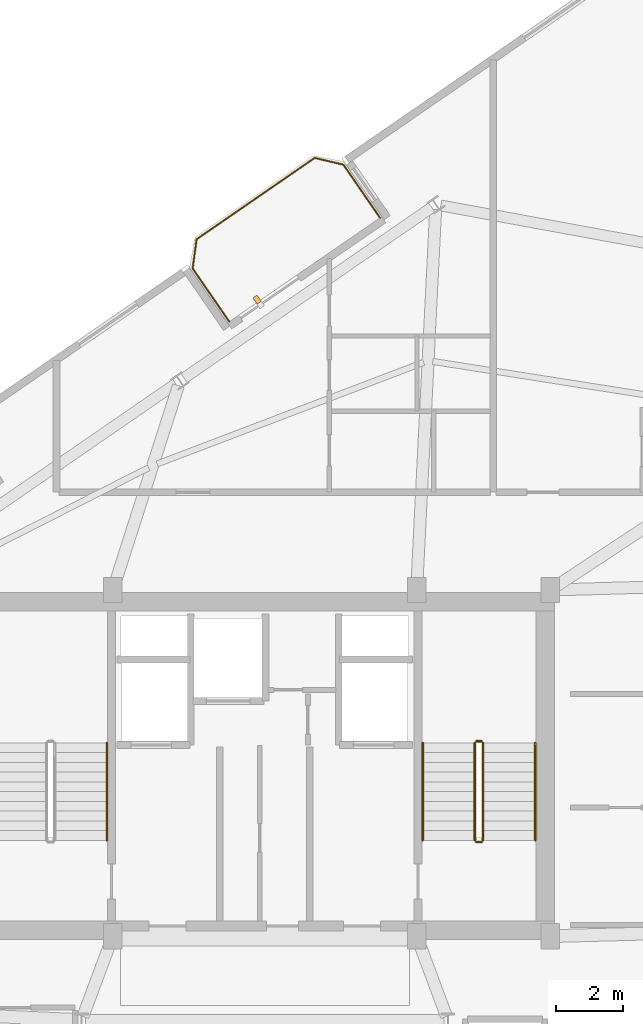
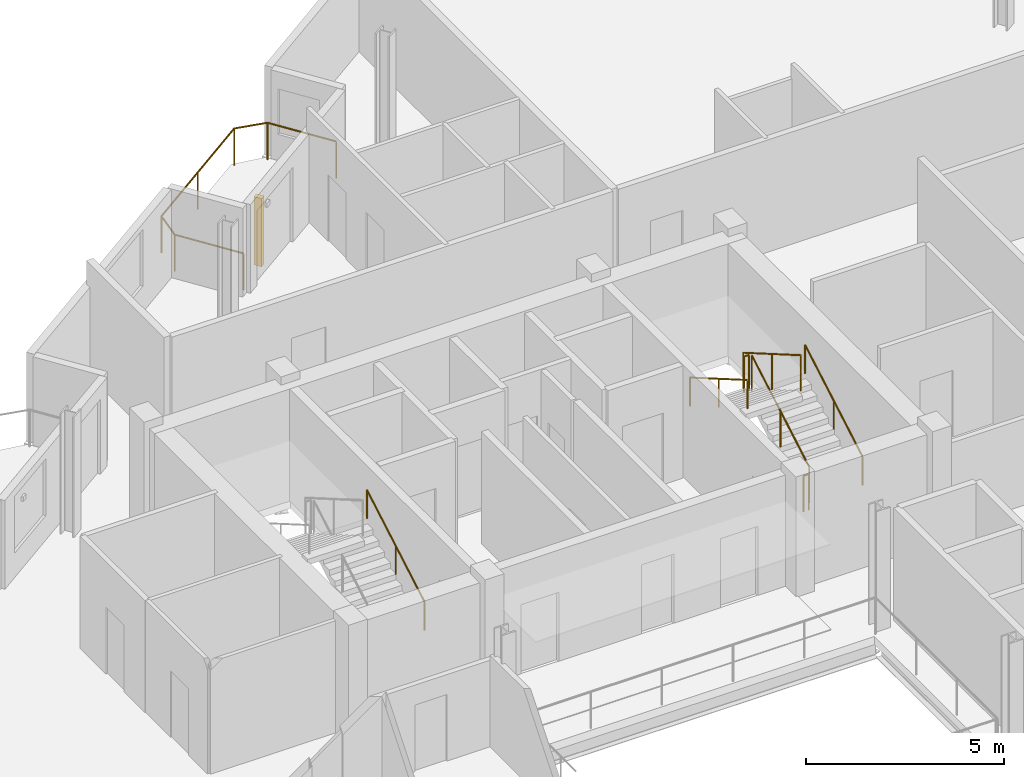
# One storey, part 23 of 23: 8 railings, 1 shading device.
"""IFC4 building model written with IfcOpenShell, lengths in metres."""

import ifcopenshell
import ifcopenshell.guid

model = None  # the IFC model being written
_history = None  # IfcOwnerHistory: only IFC2X3 demands one
_inside = {}  # id of a spatial element -> (the spatial element, [elements in it])
_under = {}  # id of a project, library or spatial element -> (it, [spatial elements below it])
_declared = {}  # id of a project -> (the project, [libraries it declares])
_typed = {}  # id of a type object -> (the type object, [elements of that type])
_made_of = {}  # id of a material, layer set ... -> (it, [elements and type objects made of it])


def new_model(schema):
    """Start an empty IFC model of exactly this schema.

    Asked for "IFC4X3", IfcOpenShell would pick the latest addendum, in which some entities
    have other attributes; the version numbers below select the first issue.
    IFC2X3 requires an IfcOwnerHistory on every rooted entity: one is made here for all.
    """
    global model, _history
    if schema == "IFC4X3":
        model = ifcopenshell.file(schema_version=(4, 3, 0, 0))
    else:
        model = ifcopenshell.file(schema=schema)
    _inside.clear()
    _under.clear()
    _declared.clear()
    _typed.clear()
    _made_of.clear()
    _history = None
    if model.schema == "IFC2X3":
        org = make("IfcOrganization", Name="unknown")
        user = make(
            "IfcPersonAndOrganization",
            ThePerson=make("IfcPerson", FamilyName="unknown"),
            TheOrganization=org,
        )
        app = make(
            "IfcApplication",
            ApplicationDeveloper=org,
            Version="unknown",
            ApplicationFullName="unknown",
            ApplicationIdentifier="unknown",
        )
        _history = make(
            "IfcOwnerHistory",
            OwningUser=user,
            OwningApplication=app,
            ChangeAction="ADDED",
            CreationDate=0,
        )
    return model


def make(cls, **values):
    """One entity of the class cls with the attributes given. An attribute that is None is left unset."""
    return model.create_entity(
        cls, **{name: value for name, value in values.items() if value is not None}
    )


def rooted(cls, **values):
    """An entity with a GlobalId (a new one), such as an element, a storey or a relation."""
    return make(cls, GlobalId=ifcopenshell.guid.new(), OwnerHistory=_history, **values)


def si_unit(unit_type, name, prefix=None):
    """IfcSIUnit, for example si_unit("LENGTHUNIT", "METRE", prefix="MILLI")."""
    return make("IfcSIUnit", UnitType=unit_type, Prefix=prefix, Name=name)


def assignment(units):
    """IfcUnitAssignment: the units of a project."""
    return None if units is None else make("IfcUnitAssignment", Units=units)


def point(xyz):
    """IfcCartesianPoint."""
    return None if xyz is None else make("IfcCartesianPoint", Coordinates=xyz)


def direction(xyz):
    """IfcDirection."""
    return None if xyz is None else make("IfcDirection", DirectionRatios=xyz)


def frame(location, z_axis=None, x_axis=None):
    """IfcAxis2Placement3D, a coordinate frame: its origin and axes. An axis left out is left unset."""
    return make(
        "IfcAxis2Placement3D",
        Location=point(location),
        Axis=direction(z_axis),
        RefDirection=direction(x_axis),
    )


def frame_2d(location, x_axis=None):
    """IfcAxis2Placement2D, a coordinate frame in the plane: its origin and x axis."""
    return make(
        "IfcAxis2Placement2D", Location=point(location), RefDirection=direction(x_axis)
    )


def origin():
    """The frame at (0, 0, 0) with its axes left unset."""
    return frame((0.0, 0.0, 0.0))


def origin_2d():
    """The frame at (0, 0) in the plane with its x axis left unset."""
    return frame_2d((0.0, 0.0))


def place(relative_to, where):
    """IfcLocalPlacement: puts the frame where relative to a parent placement (None: the world)."""
    return make(
        "IfcLocalPlacement", PlacementRelTo=relative_to, RelativePlacement=where
    )


def context(
    kind, dimensions, precision=None, world=None, true_north=None, identifier=None
):
    """IfcGeometricRepresentationContext, for example the 3D "Model" context."""
    return make(
        "IfcGeometricRepresentationContext",
        ContextIdentifier=identifier,
        ContextType=kind,
        CoordinateSpaceDimension=dimensions,
        Precision=precision,
        WorldCoordinateSystem=world,
        TrueNorth=true_north,
    )


def subcontext(parent, identifier, kind, view, scale=None):
    """IfcGeometricRepresentationSubContext, for example "Body" below "Model"."""
    return make(
        "IfcGeometricRepresentationSubContext",
        ContextIdentifier=identifier,
        ContextType=kind,
        ParentContext=parent,
        TargetScale=scale,
        TargetView=view,
    )


def project(units=None, contexts=None):
    """IfcProject with its units and contexts."""
    return rooted(
        "IfcProject",
        Name="project",
        RepresentationContexts=contexts,
        UnitsInContext=assignment(units),
    )


def spatial(cls, under=None, at=None, **own):
    """A site, building, storey or space (cls), placed at a placement, below another one or the project."""
    s = rooted(cls, ObjectPlacement=at, **own)
    if under is not None:
        _under.setdefault(under.id(), (under, []))[1].append(s)
    return s


def profile(cls, at=None, kind="AREA", **sizes):
    """A parametric profile (cls). Its sizes go by their IFC names, for example OverallWidth=200.0."""
    return make(cls, ProfileType=kind, Position=at, **sizes)


def rectangle(**sizes):
    """IfcRectangleProfileDef."""
    return profile("IfcRectangleProfileDef", **sizes)


def circle(**sizes):
    """IfcCircleProfileDef."""
    return profile("IfcCircleProfileDef", **sizes)


def extrude(swept, where, along, depth):
    """IfcExtrudedAreaSolid: the profile swept, set in the frame where, extruded along a direction by depth."""
    return make(
        "IfcExtrudedAreaSolid",
        SweptArea=swept,
        Position=where,
        ExtrudedDirection=direction(along),
        Depth=depth,
    )


def shape(context_of_items, identifier, shape_type, items):
    """IfcShapeRepresentation: the items that make up one representation, for example the "Body"."""
    return make(
        "IfcShapeRepresentation",
        ContextOfItems=context_of_items,
        RepresentationIdentifier=identifier,
        RepresentationType=shape_type,
        Items=items,
    )


def source(mapping_origin, context_of_items, identifier, shape_type, items):
    """IfcRepresentationMap: a shape defined once, which mapped items show again and again."""
    return make(
        "IfcRepresentationMap",
        MappingOrigin=mapping_origin,
        MappedRepresentation=shape(context_of_items, identifier, shape_type, items),
    )


def transform(
    local_origin,
    x_axis=None,
    y_axis=None,
    z_axis=None,
    scale=None,
    scale2=None,
    scale3=None,
    uniform=True,
):
    """IfcCartesianTransformationOperator3D, or its non-uniform kind. x_axis, y_axis, z_axis: its Axis1, 2, 3."""
    if uniform:
        return make(
            "IfcCartesianTransformationOperator3D",
            Axis1=direction(x_axis),
            Axis2=direction(y_axis),
            LocalOrigin=point(local_origin),
            Scale=scale,
            Axis3=direction(z_axis),
        )
    return make(
        "IfcCartesianTransformationOperator3DnonUniform",
        Axis1=direction(x_axis),
        Axis2=direction(y_axis),
        LocalOrigin=point(local_origin),
        Scale=scale,
        Axis3=direction(z_axis),
        Scale2=scale2,
        Scale3=scale3,
    )


def mapped(mapping_source, mapping_target):
    """IfcMappedItem: shows the shape of a source again, moved by a transform."""
    return make(
        "IfcMappedItem", MappingSource=mapping_source, MappingTarget=mapping_target
    )


def material(Name=None, Category=None):
    """IfcMaterial."""
    return make("IfcMaterial", Name=Name, Category=Category)


def made_of(thing, what):
    """Note that an element or type object is made of a material, layer set ...; save() writes the relation."""
    if what is not None:
        _made_of.setdefault(what.id(), (what, []))[1].append(thing)
    return thing


def type_object(cls, material=None, **own):
    """A type object (cls), such as IfcWallType, which elements share."""
    return made_of(rooted(cls, **own), material)


def element(
    cls,
    number,
    at=None,
    inside=None,
    cuts=None,
    type_object=None,
    material=None,
    context=None,
    identifier="Body",
    shape_type=None,
    held_by="IfcProductDefinitionShape",
    body=None,
    shapes=None,
    **own,
):
    """One element of the class cls, such as IfcWall. Its Tag is "e" and its number.

    at: its placement. inside: the storey or other place that contains it. cuts: it is an
    opening in that element (IfcRelVoidsElement). A single representation is given by context,
    identifier, shape_type and body (its items); several are given by shapes. held_by: the class
    of the entity that holds the representations. save() writes the other relations.
    """
    e = rooted(cls, Tag="e%d" % number, ObjectPlacement=at, **own)
    if body is not None:
        shapes = [shape(context, identifier, shape_type, body)]
    if shapes is not None:
        e.Representation = make(held_by, Representations=shapes)
    if inside is not None:
        _inside.setdefault(inside.id(), (inside, []))[1].append(e)
    if cuts is not None:
        rooted(
            "IfcRelVoidsElement", RelatingBuildingElement=cuts, RelatedOpeningElement=e
        )
    if type_object is not None:
        _typed.setdefault(type_object.id(), (type_object, []))[1].append(e)
    return made_of(e, material)


def aggregate(whole, parts):
    """IfcRelAggregates: a whole, such as a stair, and the parts it consists of."""
    return rooted("IfcRelAggregates", RelatingObject=whole, RelatedObjects=parts)


def save(model, path):
    """Write the relations noted so far, then the file.

    IfcRelAggregates (storeys below a building ...), IfcRelContainedInSpatialStructure (elements
    in a storey), IfcRelDefinesByType, IfcRelAssociatesMaterial and IfcRelDeclares: one each for
    every whole, place, type object, material and project.
    """
    for whole, parts in _under.values():
        aggregate(whole, parts)
    for where, things in _inside.values():
        rooted(
            "IfcRelContainedInSpatialStructure",
            RelatedElements=things,
            RelatingStructure=where,
        )
    for kind, things in _typed.values():
        rooted("IfcRelDefinesByType", RelatedObjects=things, RelatingType=kind)
    for what, things in _made_of.values():
        rooted("IfcRelAssociatesMaterial", RelatedObjects=things, RelatingMaterial=what)
    for by, libraries in _declared.values():
        rooted("IfcRelDeclares", RelatingContext=by, RelatedDefinitions=libraries)
    model.write(path)


model = new_model("IFC4")

# Units and contexts
model_context = context("Model", 3, precision=1e-05, world=origin(), true_north=direction((0.0, 1.0)))
body_context = subcontext(model_context, "Body", "Model", "MODEL_VIEW")
ifc_project = project(units=[si_unit("LENGTHUNIT", "METRE"), si_unit("AREAUNIT", "SQUARE_METRE"), si_unit("VOLUMEUNIT", "CUBIC_METRE"), si_unit("PLANEANGLEUNIT", "RADIAN"), si_unit("MASSUNIT", "GRAM", prefix="KILO")], contexts=[model_context])

# Site, building, storey
site_placement = place(None, origin())
site = spatial("IfcSite", under=ifc_project, at=site_placement, CompositionType="ELEMENT")
building_placement = place(site_placement, origin())
building = spatial("IfcBuilding", under=site, at=building_placement, Name="Varnelok Gate Tower", CompositionType="ELEMENT")
storey_placement = place(building_placement, frame((0.0, 0.0, 273.0)))
storey = spatial("IfcBuildingStorey", under=building, at=storey_placement, Name="L70", CompositionType="ELEMENT", Elevation=273.0)

# Railings
ifc_material_1 = material(Name="Low-E Laminated Double Glazing IGU", Category="glass")
railing_type_1 = type_object("IfcRailingType", Name="RL-BALC-1150", PredefinedType="BALUSTRADE", material=ifc_material_1)
railing_1_placement = place(storey_placement, frame((38.143310546875, 47.036376953125, 0.0)))
element("IfcRailing", 1, at=railing_1_placement, inside=storey, type_object=railing_type_1, Name="L70 North Terrace Balustrade 6", PredefinedType="BALUSTRADE", context=body_context, shape_type="SweptSolid", body=[
    extrude(circle(Radius=0.02392578125, at=origin_2d()), frame((0.0, 0.0, 1.1259765625), z_axis=(-0.567284155424, 0.82352212296, 0.0), x_axis=(-0.82352212296, -0.567284155424, 0.0)), (0.0, 0.0, 1.0), 1.919921875),
    extrude(circle(Radius=0.02392578125, at=origin_2d()), frame((-1.089111328125, 1.5810546875, 1.1259765625), z_axis=(0.133238627421, 0.991083986433, 0.0), x_axis=(-0.991083986433, 0.133238627421, 0.0)), (0.0, 0.0, 1.0), 0.877685546875),
    extrude(circle(Radius=0.02392578125, at=origin_2d()), frame((-0.97216796875, 2.450927734375, 1.1259765625), z_axis=(0.823530765458, 0.56727160897, 0.0), x_axis=(-0.56727160897, 0.823530765458, 0.0)), (0.0, 0.0, 1.0), 4.26708984375),
    extrude(circle(Radius=0.02392578125, at=origin_2d()), frame((2.5419921875, 4.87158203125, 1.1259765625), z_axis=(0.973573806257, -0.228372598553, 0.0), x_axis=(0.228372598553, 0.973573806257, 0.0)), (0.0, 0.0, 1.0), 0.877685546875),
    extrude(circle(Radius=0.02392578125, at=origin_2d()), frame((3.396484375, 4.671142578125, 1.1259765625), z_axis=(0.567224752248, -0.823563039747, 0.0), x_axis=(0.823563039747, 0.567224752248, 0.0)), (0.0, 0.0, 1.0), 1.920166015625),
    extrude(circle(Radius=0.02099609375, at=origin_2d()), origin(), (0.0, 0.0, 1.0), 1.101806640625),
    extrude(circle(Radius=0.02099609375, at=origin_2d()), frame((-1.089111328125, 1.5810546875, 0.0)), (0.0, 0.0, 1.0), 1.101806640625),
    extrude(circle(Radius=0.02099609375, at=origin_2d()), frame((-0.97216796875, 2.450927734375, 0.0)), (0.0, 0.0, 1.0), 1.101806640625),
    extrude(circle(Radius=0.02099609375, at=origin_2d()), frame((0.784912109375, 3.6611328125, 0.0)), (0.0, 0.0, 1.0), 1.101806640625),
    extrude(circle(Radius=0.02099609375, at=origin_2d()), frame((2.5419921875, 4.87158203125, 0.0)), (0.0, 0.0, 1.0), 1.101806640625),
    extrude(circle(Radius=0.02099609375, at=origin_2d()), frame((3.396484375, 4.671142578125, 0.0)), (0.0, 0.0, 1.0), 1.101806640625),
    extrude(circle(Radius=0.02099609375, at=origin_2d()), frame((4.485595703125, 3.08984375, 0.0)), (0.0, 0.0, 1.0), 1.101806640625),
])
ifc_material_2 = material(Name="Brushed Stainless Steel AISI 316", Category="steel")
railing_type_2 = type_object("IfcRailingType", Name="RL-HANDRAIL-900", PredefinedType="HANDRAIL", material=ifc_material_2)
for number, where, name in (
    (2, (34.5, 31.60009765625, 0.168212890625), "L70 ST-1 stair handrail 1"),
    (3, (47.25, 31.60009765625, 0.168212890625), "L70 ST-2 stair handrail 1"),
):
    element("IfcRailing", number, at=place(storey_placement, frame(where)), inside=storey, type_object=railing_type_2, Name=name, PredefinedType="HANDRAIL", context=body_context, shape_type="SweptSolid", body=[
        extrude(circle(Radius=0.02392578125, at=origin_2d()), frame((0.0, 0.0, 0.8759765625), z_axis=(0.0, 0.865038774852, 0.501705010941), x_axis=(-1.0, 0.0, 0.0)), (0.0, 0.0, 1.0), 3.352294921875),
        extrude(circle(Radius=0.02099609375, at=origin_2d()), origin(), (0.0, 0.0, 1.0), 0.851806640625),
        extrude(circle(Radius=0.02099609375, at=origin_2d()), frame((0.0, 1.449951171875, 0.8408203125)), (0.0, 0.0, 1.0), 0.851806640625),
        extrude(circle(Radius=0.02099609375, at=origin_2d()), frame((0.0, 2.89990234375, 1.681884765625)), (0.0, 0.0, 1.0), 0.851806640625),
    ])
railing_2_placement = place(storey_placement, frame((43.89990234375, 34.5, 2.01806640625)))
element("IfcRailing", 4, at=railing_2_placement, inside=storey, type_object=railing_type_2, Name="L70 ST-2 stair handrail 2", PredefinedType="HANDRAIL", context=body_context, shape_type="SweptSolid", body=[
    extrude(circle(Radius=0.02392578125, at=origin_2d()), frame((0.0, 0.0, 0.8759765625), z_axis=(0.0, -0.865038774852, 0.501705010941), x_axis=(1.0, 0.0, 0.0)), (0.0, 0.0, 1.0), 3.352294921875),
    extrude(circle(Radius=0.02099609375, at=origin_2d()), origin(), (0.0, 0.0, 1.0), 0.851806640625),
    extrude(circle(Radius=0.02099609375, at=origin_2d()), frame((0.0, -1.449951171875, 0.8408203125)), (0.0, 0.0, 1.0), 0.851806640625),
    extrude(circle(Radius=0.02099609375, at=origin_2d()), frame((0.0, -2.89990234375, 1.681884765625)), (0.0, 0.0, 1.0), 0.851806640625),
])
ifc_material_3 = material(Name="Galvanized Steel Grade S350GD", Category="steel")
railing_type_3 = type_object("IfcRailingType", Name="RL-STAIR-GUARD1120", PredefinedType="GUARDRAIL", material=ifc_material_3)
railing_3_placement = place(storey_placement, frame((45.699951171875, 31.60009765625, 0.168212890625)))
element("IfcRailing", 5, at=railing_3_placement, inside=storey, type_object=railing_type_3, Name="L70 ST-2 stair guard 1", PredefinedType="GUARDRAIL", context=body_context, shape_type="SweptSolid", body=[
    extrude(circle(Radius=0.02392578125, at=origin_2d()), frame((0.0, 0.0, 1.09619140625), z_axis=(0.0, 0.865038774852, 0.501705010941), x_axis=(-1.0, 0.0, 0.0)), (0.0, 0.0, 1.0), 3.352294921875),
    extrude(circle(Radius=0.02099609375, at=origin_2d()), origin(), (0.0, 0.0, 1.0), 1.072021484375),
    extrude(circle(Radius=0.02099609375, at=origin_2d()), frame((0.0, 1.449951171875, 0.8408203125)), (0.0, 0.0, 1.0), 1.072021484375),
    extrude(circle(Radius=0.02099609375, at=origin_2d()), frame((0.0, 2.89990234375, 1.681884765625)), (0.0, 0.0, 1.0), 1.072021484375),
])
railing_4_placement = place(storey_placement, frame((45.64990234375, 34.550048828125, 1.85009765625)))
element("IfcRailing", 6, at=railing_4_placement, inside=storey, type_object=railing_type_3, Name="L70 ST-2 stair guard 2", PredefinedType="GUARDRAIL", context=body_context, shape_type="SweptSolid", body=[
    extrude(circle(Radius=0.02392578125, at=origin_2d()), frame((0.0, 0.0, 1.09619140625), z_axis=(-1.0, 0.0, 0.0), x_axis=(0.0, -1.0, 0.0)), (0.0, 0.0, 1.0), 0.14990234375),
    extrude(circle(Radius=0.02099609375, at=origin_2d()), origin(), (0.0, 0.0, 1.0), 1.072021484375),
    extrude(circle(Radius=0.02099609375, at=origin_2d()), frame((-0.14990234375, 0.0, 0.0)), (0.0, 0.0, 1.0), 1.072021484375),
])
railing_5_placement = place(storey_placement, frame((45.449951171875, 34.5, 2.01806640625)))
element("IfcRailing", 7, at=railing_5_placement, inside=storey, type_object=railing_type_3, Name="L70 ST-2 stair guard 3", PredefinedType="GUARDRAIL", context=body_context, shape_type="SweptSolid", body=[
    extrude(circle(Radius=0.02392578125, at=origin_2d()), frame((0.0, 0.0, 1.09619140625), z_axis=(0.0, -0.865038774852, 0.501705010941), x_axis=(1.0, 0.0, 0.0)), (0.0, 0.0, 1.0), 3.352294921875),
    extrude(circle(Radius=0.02099609375, at=origin_2d()), origin(), (0.0, 0.0, 1.0), 1.072021484375),
    extrude(circle(Radius=0.02099609375, at=origin_2d()), frame((0.0, -1.449951171875, 0.8408203125)), (0.0, 0.0, 1.0), 1.072021484375),
    extrude(circle(Radius=0.02099609375, at=origin_2d()), frame((0.0, -2.89990234375, 1.681884765625)), (0.0, 0.0, 1.0), 1.072021484375),
])
railing_6_placement = place(storey_placement, frame((45.64990234375, 31.550048828125, 0.0)))
element("IfcRailing", 8, at=railing_6_placement, inside=storey, type_object=railing_type_3, Name="L70 ST-2 stair guard 4", PredefinedType="GUARDRAIL", context=body_context, shape_type="SweptSolid", body=[
    extrude(circle(Radius=0.02392578125, at=origin_2d()), frame((0.0, 0.0, 1.09619140625), z_axis=(-1.0, 0.0, 0.0), x_axis=(0.0, -1.0, 0.0)), (0.0, 0.0, 1.0), 0.14990234375),
    extrude(circle(Radius=0.02099609375, at=origin_2d()), origin(), (0.0, 0.0, 1.0), 1.072021484375),
    extrude(circle(Radius=0.02099609375, at=origin_2d()), frame((-0.14990234375, 0.0, 0.0)), (0.0, 0.0, 1.0), 1.072021484375),
])

# Shading device
ifc_material_4 = material(Name="Glazed Architectural Terracotta Ceramic", Category="masonry")
shading_device_type = type_object("IfcShadingDeviceType", Name="SHD-TERRA-BAGUETTE", PredefinedType="USERDEFINED", material=ifc_material_4)
shared_shape = source(origin(), body_context, "Body", "SweptSolid", [
    extrude(rectangle(XDim=0.139892578125, YDim=0.219970703125, at=origin_2d()), origin(), (0.0, 0.0, 1.0), 2.10009765625),
])
shading_device_placement = place(storey_placement, frame((38.970947265625, 47.69140625, 0.099853515625), z_axis=(0.0, 0.0, 1.0), x_axis=(0.823532597628, 0.567268949127, 0.0)))
element("IfcShadingDevice", 9, at=shading_device_placement, inside=storey, type_object=shading_device_type, Name="L70 Terracotta Ceramic Baguette Sunscreen 6.1", ObjectType="BAGUETTE", PredefinedType="USERDEFINED", context=body_context, shape_type="MappedRepresentation", body=[
    mapped(shared_shape, transform((0.0, 0.0, 0.0), scale=1.0)),
])

save(model, "model.ifc")
